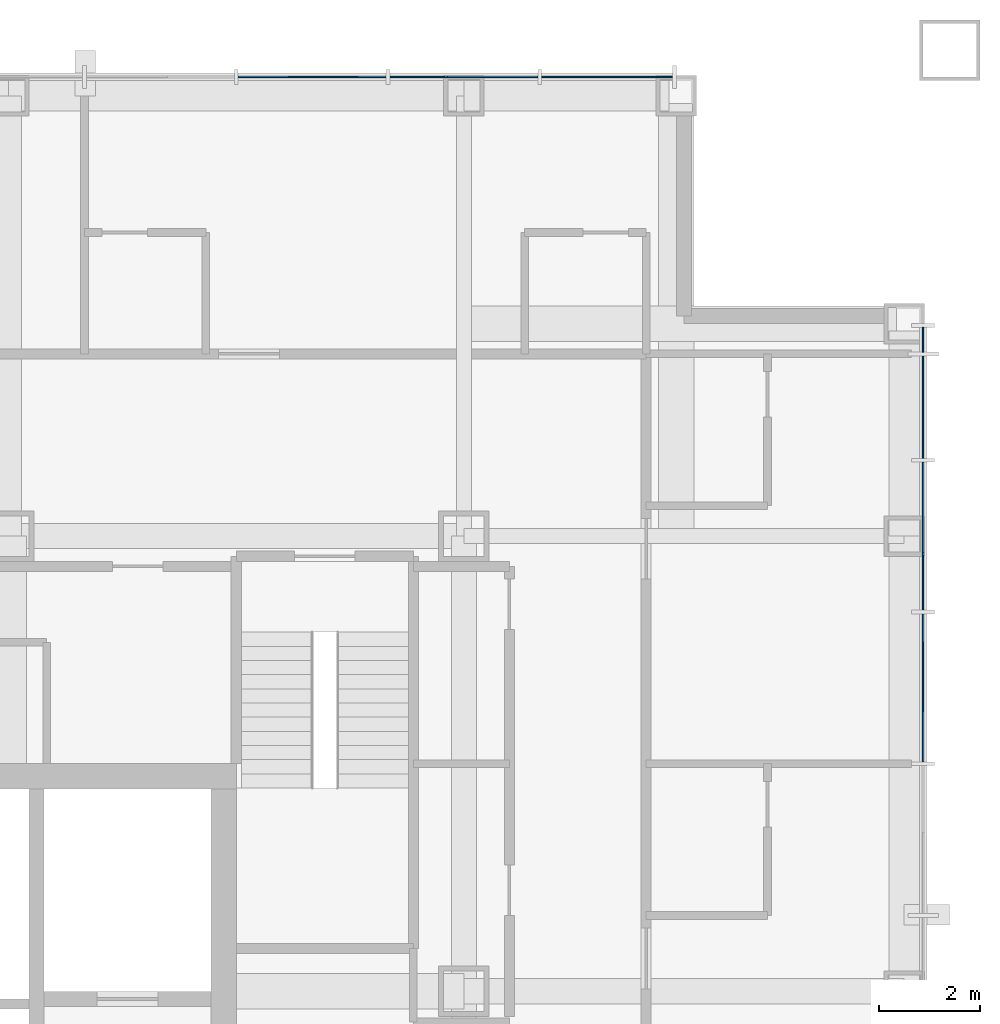
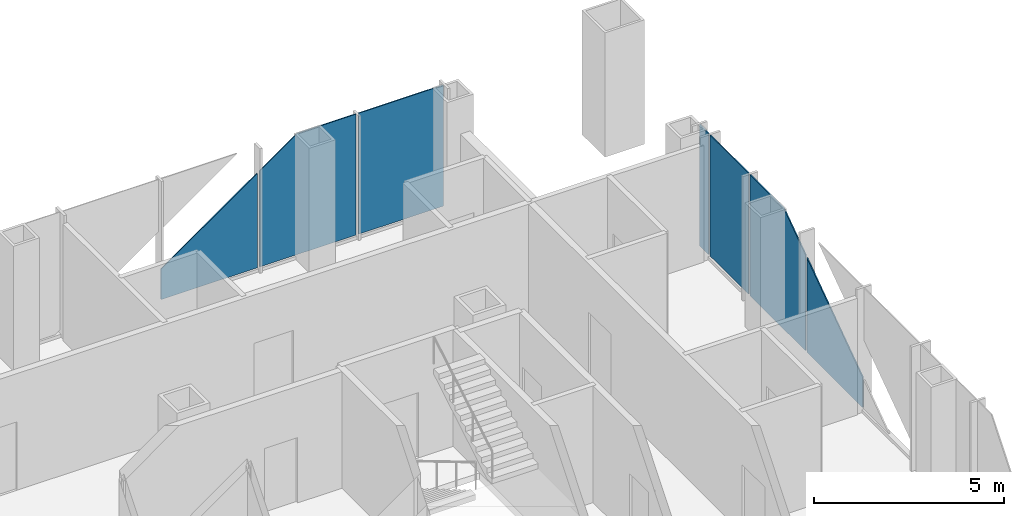
# One storey, part 10 of 16: 7 plates, 2 elements without a shape of their own.
"""IFC4 building model written with IfcOpenShell, lengths in metres."""

import ifcopenshell
import ifcopenshell.guid

model = None  # the IFC model being written
_history = None  # IfcOwnerHistory: only IFC2X3 demands one
_inside = {}  # id of a spatial element -> (the spatial element, [elements in it])
_under = {}  # id of a project, library or spatial element -> (it, [spatial elements below it])
_declared = {}  # id of a project -> (the project, [libraries it declares])
_typed = {}  # id of a type object -> (the type object, [elements of that type])
_made_of = {}  # id of a material, layer set ... -> (it, [elements and type objects made of it])


def new_model(schema):
    """Start an empty IFC model of exactly this schema.

    Asked for "IFC4X3", IfcOpenShell would pick the latest addendum, in which some entities
    have other attributes; the version numbers below select the first issue.
    IFC2X3 requires an IfcOwnerHistory on every rooted entity: one is made here for all.
    """
    global model, _history
    if schema == "IFC4X3":
        model = ifcopenshell.file(schema_version=(4, 3, 0, 0))
    else:
        model = ifcopenshell.file(schema=schema)
    _inside.clear()
    _under.clear()
    _declared.clear()
    _typed.clear()
    _made_of.clear()
    _history = None
    if model.schema == "IFC2X3":
        org = make("IfcOrganization", Name="unknown")
        user = make(
            "IfcPersonAndOrganization",
            ThePerson=make("IfcPerson", FamilyName="unknown"),
            TheOrganization=org,
        )
        app = make(
            "IfcApplication",
            ApplicationDeveloper=org,
            Version="unknown",
            ApplicationFullName="unknown",
            ApplicationIdentifier="unknown",
        )
        _history = make(
            "IfcOwnerHistory",
            OwningUser=user,
            OwningApplication=app,
            ChangeAction="ADDED",
            CreationDate=0,
        )
    return model


def make(cls, **values):
    """One entity of the class cls with the attributes given. An attribute that is None is left unset."""
    return model.create_entity(
        cls, **{name: value for name, value in values.items() if value is not None}
    )


def rooted(cls, **values):
    """An entity with a GlobalId (a new one), such as an element, a storey or a relation."""
    return make(cls, GlobalId=ifcopenshell.guid.new(), OwnerHistory=_history, **values)


def si_unit(unit_type, name, prefix=None):
    """IfcSIUnit, for example si_unit("LENGTHUNIT", "METRE", prefix="MILLI")."""
    return make("IfcSIUnit", UnitType=unit_type, Prefix=prefix, Name=name)


def assignment(units):
    """IfcUnitAssignment: the units of a project."""
    return None if units is None else make("IfcUnitAssignment", Units=units)


def point(xyz):
    """IfcCartesianPoint."""
    return None if xyz is None else make("IfcCartesianPoint", Coordinates=xyz)


def direction(xyz):
    """IfcDirection."""
    return None if xyz is None else make("IfcDirection", DirectionRatios=xyz)


def frame(location, z_axis=None, x_axis=None):
    """IfcAxis2Placement3D, a coordinate frame: its origin and axes. An axis left out is left unset."""
    return make(
        "IfcAxis2Placement3D",
        Location=point(location),
        Axis=direction(z_axis),
        RefDirection=direction(x_axis),
    )


def frame_2d(location, x_axis=None):
    """IfcAxis2Placement2D, a coordinate frame in the plane: its origin and x axis."""
    return make(
        "IfcAxis2Placement2D", Location=point(location), RefDirection=direction(x_axis)
    )


def origin():
    """The frame at (0, 0, 0) with its axes left unset."""
    return frame((0.0, 0.0, 0.0))


def origin_2d():
    """The frame at (0, 0) in the plane with its x axis left unset."""
    return frame_2d((0.0, 0.0))


def place(relative_to, where):
    """IfcLocalPlacement: puts the frame where relative to a parent placement (None: the world)."""
    return make(
        "IfcLocalPlacement", PlacementRelTo=relative_to, RelativePlacement=where
    )


def context(
    kind, dimensions, precision=None, world=None, true_north=None, identifier=None
):
    """IfcGeometricRepresentationContext, for example the 3D "Model" context."""
    return make(
        "IfcGeometricRepresentationContext",
        ContextIdentifier=identifier,
        ContextType=kind,
        CoordinateSpaceDimension=dimensions,
        Precision=precision,
        WorldCoordinateSystem=world,
        TrueNorth=true_north,
    )


def subcontext(parent, identifier, kind, view, scale=None):
    """IfcGeometricRepresentationSubContext, for example "Body" below "Model"."""
    return make(
        "IfcGeometricRepresentationSubContext",
        ContextIdentifier=identifier,
        ContextType=kind,
        ParentContext=parent,
        TargetScale=scale,
        TargetView=view,
    )


def project(units=None, contexts=None):
    """IfcProject with its units and contexts."""
    return rooted(
        "IfcProject",
        Name="project",
        RepresentationContexts=contexts,
        UnitsInContext=assignment(units),
    )


def spatial(cls, under=None, at=None, **own):
    """A site, building, storey or space (cls), placed at a placement, below another one or the project."""
    s = rooted(cls, ObjectPlacement=at, **own)
    if under is not None:
        _under.setdefault(under.id(), (under, []))[1].append(s)
    return s


def polyline(points):
    """IfcPolyline through the points."""
    return make("IfcPolyline", Points=[point(p) for p in points])


def profile(cls, at=None, kind="AREA", **sizes):
    """A parametric profile (cls). Its sizes go by their IFC names, for example OverallWidth=200.0."""
    return make(cls, ProfileType=kind, Position=at, **sizes)


def rectangle(**sizes):
    """IfcRectangleProfileDef."""
    return profile("IfcRectangleProfileDef", **sizes)


def outline(outer, holes=None, kind="AREA"):
    """IfcArbitraryClosedProfileDef: a profile drawn as a closed curve; with holes, ...WithVoids."""
    if holes is None:
        return make("IfcArbitraryClosedProfileDef", ProfileType=kind, OuterCurve=outer)
    return make(
        "IfcArbitraryProfileDefWithVoids",
        ProfileType=kind,
        OuterCurve=outer,
        InnerCurves=holes,
    )


def extrude(swept, where, along, depth):
    """IfcExtrudedAreaSolid: the profile swept, set in the frame where, extruded along a direction by depth."""
    return make(
        "IfcExtrudedAreaSolid",
        SweptArea=swept,
        Position=where,
        ExtrudedDirection=direction(along),
        Depth=depth,
    )


def shape(context_of_items, identifier, shape_type, items):
    """IfcShapeRepresentation: the items that make up one representation, for example the "Body"."""
    return make(
        "IfcShapeRepresentation",
        ContextOfItems=context_of_items,
        RepresentationIdentifier=identifier,
        RepresentationType=shape_type,
        Items=items,
    )


def material(Name=None, Category=None):
    """IfcMaterial."""
    return make("IfcMaterial", Name=Name, Category=Category)


def layer(
    of_material, thickness, ventilated=None, Name=None, Category=None, Priority=None
):
    """IfcMaterialLayer: one layer of a wall or slab, of a material (None: an air gap)."""
    return make(
        "IfcMaterialLayer",
        Material=of_material,
        LayerThickness=thickness,
        IsVentilated=ventilated,
        Name=Name,
        Category=Category,
        Priority=Priority,
    )


def layer_set(layers, Name=None):
    """IfcMaterialLayerSet."""
    return make("IfcMaterialLayerSet", MaterialLayers=layers, LayerSetName=Name)


def made_of(thing, what):
    """Note that an element or type object is made of a material, layer set ...; save() writes the relation."""
    if what is not None:
        _made_of.setdefault(what.id(), (what, []))[1].append(thing)
    return thing


def type_object(cls, material=None, **own):
    """A type object (cls), such as IfcWallType, which elements share."""
    return made_of(rooted(cls, **own), material)


def element(
    cls,
    number,
    at=None,
    inside=None,
    cuts=None,
    type_object=None,
    material=None,
    context=None,
    identifier="Body",
    shape_type=None,
    held_by="IfcProductDefinitionShape",
    body=None,
    shapes=None,
    **own,
):
    """One element of the class cls, such as IfcWall. Its Tag is "e" and its number.

    at: its placement. inside: the storey or other place that contains it. cuts: it is an
    opening in that element (IfcRelVoidsElement). A single representation is given by context,
    identifier, shape_type and body (its items); several are given by shapes. held_by: the class
    of the entity that holds the representations. save() writes the other relations.
    """
    e = rooted(cls, Tag="e%d" % number, ObjectPlacement=at, **own)
    if body is not None:
        shapes = [shape(context, identifier, shape_type, body)]
    if shapes is not None:
        e.Representation = make(held_by, Representations=shapes)
    if inside is not None:
        _inside.setdefault(inside.id(), (inside, []))[1].append(e)
    if cuts is not None:
        rooted(
            "IfcRelVoidsElement", RelatingBuildingElement=cuts, RelatedOpeningElement=e
        )
    if type_object is not None:
        _typed.setdefault(type_object.id(), (type_object, []))[1].append(e)
    return made_of(e, material)


def aggregate(whole, parts):
    """IfcRelAggregates: a whole, such as a stair, and the parts it consists of."""
    return rooted("IfcRelAggregates", RelatingObject=whole, RelatedObjects=parts)


def save(model, path):
    """Write the relations noted so far, then the file.

    IfcRelAggregates (storeys below a building ...), IfcRelContainedInSpatialStructure (elements
    in a storey), IfcRelDefinesByType, IfcRelAssociatesMaterial and IfcRelDeclares: one each for
    every whole, place, type object, material and project.
    """
    for whole, parts in _under.values():
        aggregate(whole, parts)
    for where, things in _inside.values():
        rooted(
            "IfcRelContainedInSpatialStructure",
            RelatedElements=things,
            RelatingStructure=where,
        )
    for kind, things in _typed.values():
        rooted("IfcRelDefinesByType", RelatedObjects=things, RelatingType=kind)
    for what, things in _made_of.values():
        rooted("IfcRelAssociatesMaterial", RelatedObjects=things, RelatingMaterial=what)
    for by, libraries in _declared.values():
        rooted("IfcRelDeclares", RelatingContext=by, RelatedDefinitions=libraries)
    model.write(path)


model = new_model("IFC4")

# Units and contexts
model_context = context("Model", 3, precision=1e-05, world=origin(), true_north=direction((0.0, 1.0)))
body_context = subcontext(model_context, "Body", "Model", "MODEL_VIEW")
ifc_project = project(units=[si_unit("LENGTHUNIT", "METRE"), si_unit("AREAUNIT", "SQUARE_METRE"), si_unit("VOLUMEUNIT", "CUBIC_METRE"), si_unit("PLANEANGLEUNIT", "RADIAN"), si_unit("MASSUNIT", "GRAM", prefix="KILO")], contexts=[model_context])

# Site, building, storey
site_placement = place(None, origin())
site = spatial("IfcSite", under=ifc_project, at=site_placement, CompositionType="ELEMENT")
building_placement = place(site_placement, origin())
building = spatial("IfcBuilding", under=site, at=building_placement, Name="Malebo Sky Hospital", CompositionType="ELEMENT")
storey_placement = place(building_placement, frame((0.0, 0.0, 197.0)))
storey = spatial("IfcBuildingStorey", under=building, at=storey_placement, Name="L47", CompositionType="ELEMENT", Elevation=197.0)

# Curtain wall, plates
ifc_material_1 = material(Name="Anodised aluminium, natural silver", Category="aluminium")
ifc_layer_1 = layer(ifc_material_1, 0.25)
ifc_layer_set_1 = layer_set([ifc_layer_1], Name="WARD CURTAIN WALL NORTH AND SOUTH")
curtain_wall_type_1 = type_object("IfcCurtainWallType", Name="WARD CURTAIN WALL NORTH AND SOUTH", PredefinedType="NOTDEFINED", material=ifc_layer_set_1)
curtain_wall_1_placement = place(storey_placement, origin())
curtain_wall_1 = element("IfcCurtainWall", 1, at=curtain_wall_1_placement, inside=storey, type_object=curtain_wall_type_1, Name="NS curtain wall N", PredefinedType="NOTDEFINED")
ifc_material_2 = material(Name="Clear low-iron double glazing", Category="glass")
ifc_layer_2 = layer(ifc_material_2, 0.031982421875)
ifc_layer_set_2 = layer_set([ifc_layer_2], Name="VISION PANEL CLEAR 32")
plate_type = type_object("IfcPlateType", Name="VISION PANEL CLEAR 32", PredefinedType="CURTAIN_PANEL", material=ifc_layer_set_2)
plate_1_placement = place(storey_placement, frame((70.5, 84.574951171875, 0.099853515625), z_axis=(0.0, 0.0, 1.0), x_axis=(1.0, 0.0, 0.0)))
plate_1 = element("IfcPlate", 2, at=plate_1_placement, type_object=plate_type, Name="Panel 11", PredefinedType="CURTAIN_PANEL", context=body_context, shape_type="SweptSolid", body=[
    extrude(outline(polyline([(-1.46240234375, 0.0), (1.46240234375, 0.0), (1.46240234375, 3.03515625), (-1.46240234375, 0.980712890625), (-1.46240234375, 0.0)])), frame((0.0, 0.01611328125, 0.0), z_axis=(0.0, -1.0, 0.0), x_axis=(1.0, 0.0, 0.0)), (0.0, 0.0, 1.0), 0.031982421875),
])
plate_2_placement = place(storey_placement, frame((73.5, 84.574951171875, 0.10009765625), z_axis=(0.0, 0.0, 1.0), x_axis=(1.0, 0.0, 0.0)))
plate_2 = element("IfcPlate", 3, at=plate_2_placement, type_object=plate_type, Name="Panel 12", PredefinedType="CURTAIN_PANEL", context=body_context, shape_type="SweptSolid", body=[
    extrude(outline(polyline([(-1.46240234375, 0.0), (1.46240234375, 0.0), (1.46240234375, 3.889892578125), (-0.3203125, 3.889892578125), (-1.46240234375, 3.087890625), (-1.46240234375, 0.0)])), frame((0.0, 0.01611328125, 0.0), z_axis=(0.0, -1.0, 0.0), x_axis=(1.0, 0.0, 0.0)), (0.0, 0.0, 1.0), 0.031982421875),
])
plate_3_placement = place(storey_placement, frame((76.331298828125, 84.574951171875, 0.10009765625), z_axis=(0.0, 0.0, 1.0), x_axis=(1.0, 0.0, 0.0)))
plate_3 = element("IfcPlate", 4, at=plate_3_placement, type_object=plate_type, Name="Panel 13", PredefinedType="CURTAIN_PANEL", context=body_context, shape_type="SweptSolid", body=[
    extrude(rectangle(XDim=2.58740234375, YDim=0.031982421875, at=origin_2d()), origin(), (0.0, 0.0, 1.0), 3.889892578125),
])
aggregate(curtain_wall_1, [plate_1, plate_2, plate_3])

ifc_layer_3 = layer(ifc_material_1, 0.25)
ifc_layer_set_3 = layer_set([ifc_layer_3], Name="WARD CURTAIN WALL EAST AND WEST")
curtain_wall_type_2 = type_object("IfcCurtainWallType", Name="WARD CURTAIN WALL EAST AND WEST", PredefinedType="NOTDEFINED", material=ifc_layer_set_3)
curtain_wall_2_placement = place(storey_placement, origin())
curtain_wall_2 = element("IfcCurtainWall", 5, at=curtain_wall_2_placement, inside=storey, type_object=curtain_wall_type_2, Name="EW curtain wall E", PredefinedType="NOTDEFINED")
plate_4_placement = place(storey_placement, frame((82.574951171875, 79.38134765625, 0.10009765625), z_axis=(0.0, 0.0, 1.0), x_axis=(0.0, -1.0, 0.0)))
plate_4 = element("IfcPlate", 6, at=plate_4_placement, type_object=plate_type, Name="Panel 1", PredefinedType="CURTAIN_PANEL", context=body_context, shape_type="SweptSolid", body=[
    extrude(rectangle(XDim=0.487548828125, YDim=0.031982421875, at=origin_2d()), origin(), (0.0, 0.0, 1.0), 3.889892578125),
])
plate_5_placement = place(storey_placement, frame((82.574951171875, 78.050048828125, 0.10009765625), z_axis=(0.0, 0.0, 1.0), x_axis=(0.0, -1.0, 0.0)))
plate_5 = element("IfcPlate", 7, at=plate_5_placement, type_object=plate_type, Name="Panel 2", PredefinedType="CURTAIN_PANEL", context=body_context, shape_type="SweptSolid", body=[
    extrude(rectangle(XDim=2.02490234375, YDim=0.031982421875, at=origin_2d()), origin(), (0.0, 0.0, 1.0), 3.889892578125),
])
plate_6_placement = place(storey_placement, frame((82.574951171875, 75.5, 0.10009765625), z_axis=(0.0, 0.0, 1.0), x_axis=(0.0, -1.0, 0.0)))
plate_6 = element("IfcPlate", 8, at=plate_6_placement, type_object=plate_type, Name="Panel 3", PredefinedType="CURTAIN_PANEL", context=body_context, shape_type="SweptSolid", body=[
    extrude(outline(polyline([(-1.46240234375, 0.0), (1.46240234375, 0.0), (1.46240234375, 3.087890625), (0.3203125, 3.889892578125), (-1.46240234375, 3.889892578125), (-1.46240234375, 0.0)])), frame((0.0, 0.01611328125, 0.0), z_axis=(0.0, -1.0, 0.0), x_axis=(1.0, 0.0, 0.0)), (0.0, 0.0, 1.0), 0.031982421875),
])
plate_7_placement = place(storey_placement, frame((82.574951171875, 72.5, 0.099853515625), z_axis=(0.0, 0.0, 1.0), x_axis=(0.0, -1.0, 0.0)))
plate_7 = element("IfcPlate", 9, at=plate_7_placement, type_object=plate_type, Name="Panel 4", PredefinedType="CURTAIN_PANEL", context=body_context, shape_type="SweptSolid", body=[
    extrude(outline(polyline([(-1.46240234375, 0.0), (1.46240234375, 0.0), (1.46240234375, 0.980712890625), (-1.46240234375, 3.03515625), (-1.46240234375, 0.0)])), frame((0.0, 0.01611328125, 0.0), z_axis=(0.0, -1.0, 0.0), x_axis=(1.0, 0.0, 0.0)), (0.0, 0.0, 1.0), 0.031982421875),
])
aggregate(curtain_wall_2, [plate_4, plate_5, plate_6, plate_7])

save(model, "model.ifc")
